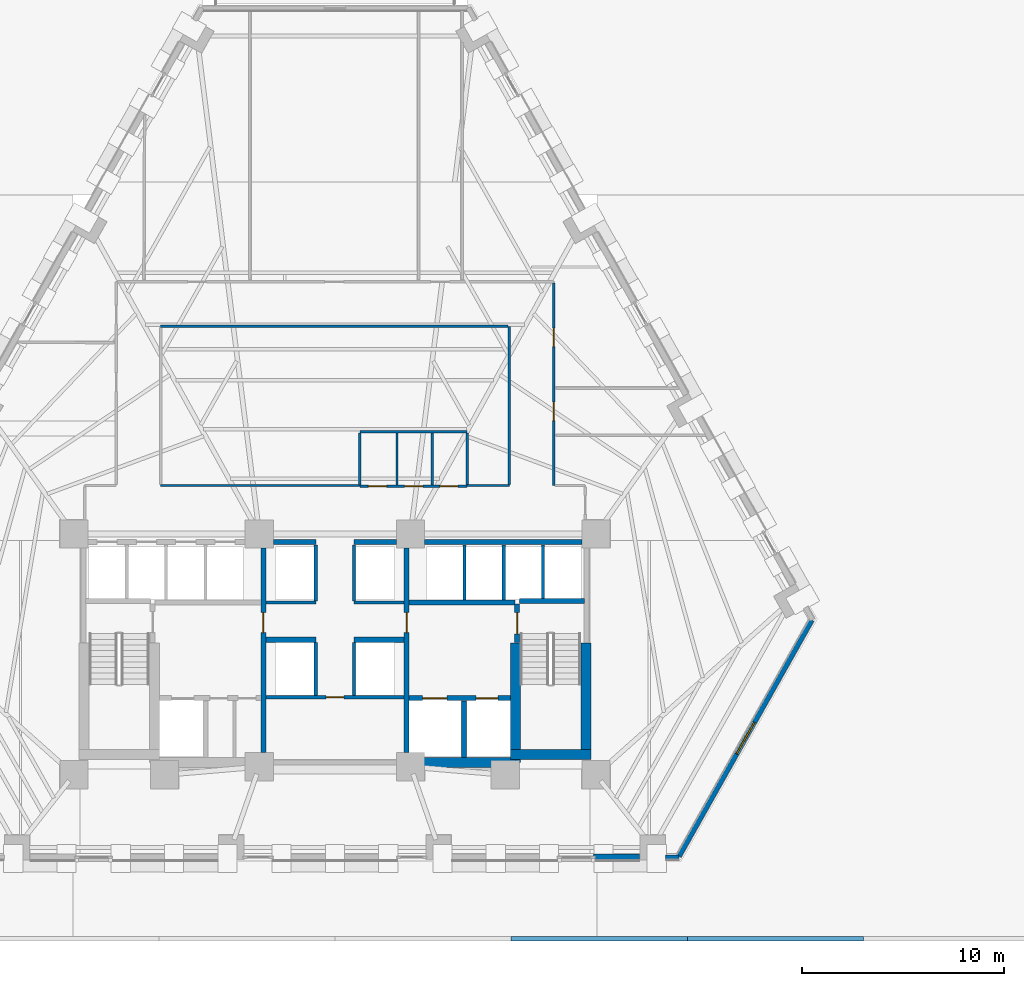
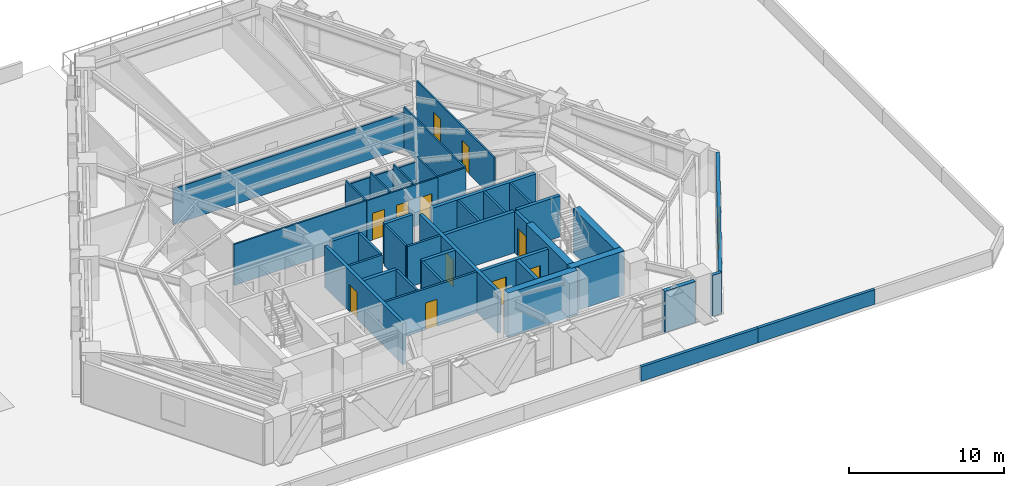
# One storey, part 9 of 14: 42 walls, 11 doors, 1 window, 12 openings.
"""IFC4 building model written with IfcOpenShell, lengths in metres."""

from ifc_helpers import new_model, si_unit, direction, frame, frame_2d, origin, place, context, subcontext, project, spatial, rectangle, extrude, material, layer, layer_set, type_object, element, fill, save


model = new_model("IFC4")

# Units and contexts
model_context = context("Model", 3, precision=1e-05, world=origin(), true_north=direction((0.0, 1.0)))
body_context = subcontext(model_context, "Body", "Model", "MODEL_VIEW")
ifc_project = project(units=[si_unit("LENGTHUNIT", "METRE"), si_unit("AREAUNIT", "SQUARE_METRE"), si_unit("VOLUMEUNIT", "CUBIC_METRE"), si_unit("PLANEANGLEUNIT", "RADIAN"), si_unit("MASSUNIT", "GRAM", prefix="KILO")], contexts=[model_context])

# Site, building, storey
site_placement = place(None, origin())
site = spatial("IfcSite", under=ifc_project, at=site_placement, CompositionType="ELEMENT")
building_placement = place(site_placement, origin())
building = spatial("IfcBuilding", under=site, at=building_placement, Name="Quenlor Broadcast Tower", CompositionType="ELEMENT")
storey_placement = place(building_placement, frame((0.0, 0.0, 27.60009765625)))
storey = spatial("IfcBuildingStorey", under=building, at=storey_placement, Name="L06", CompositionType="ELEMENT", Elevation=27.60009765625)

# Walls
ifc_material_1 = material(Name="Concrete C65/80", Category="concrete")
ifc_layer_1 = layer(ifc_material_1, 0.5)
ifc_layer_set_1 = layer_set([ifc_layer_1], Name="Core Concrete C65/80 Shear Wall 500")
wall_type_1 = type_object("IfcWallType", Name="Core Concrete C65/80 Shear Wall 500", PredefinedType="SHEAR", material=ifc_layer_set_1)
wall_1_placement = place(storey_placement, frame((3.75, -16.14990234375, 0.0), z_axis=(0.0, 0.0, 1.0), x_axis=(1.0, 0.0, 0.0)))
element("IfcWall", 1, at=wall_1_placement, inside=storey, type_object=wall_type_1, Name="L06 Core Shear Wall WS-E1", PredefinedType="SHEAR", context=body_context, shape_type="SweptSolid", body=[
    extrude(rectangle(XDim=5.199951171875, YDim=0.5, at=frame_2d((2.60009765625, 0.0))), origin(), (0.0, 0.0, 1.0), 3.5),
])
wall_2_placement = place(storey_placement, frame((8.699951171875, -15.75, 0.0), z_axis=(0.0, 0.0, 1.0), x_axis=(1.0, 0.0, 0.0)))
element("IfcWall", 2, at=wall_2_placement, inside=storey, type_object=wall_type_1, Name="L06 Core Shear Wall WS-E2", PredefinedType="SHEAR", context=body_context, shape_type="SweptSolid", body=[
    extrude(rectangle(XDim=4.0, YDim=0.5, at=frame_2d((2.0, 0.0))), origin(), (0.0, 0.0, 1.0), 3.5),
])
wall_3_placement = place(storey_placement, frame((12.449951171875, -15.75, 0.0), z_axis=(0.0, 0.0, 1.0), x_axis=(0.0, 1.0, 0.0)))
element("IfcWall", 3, at=wall_3_placement, inside=storey, type_object=wall_type_1, Name="L06 Core Shear Wall WF-E", PredefinedType="SHEAR", context=body_context, shape_type="SweptSolid", body=[
    extrude(rectangle(XDim=5.550048828125, YDim=0.5, at=frame_2d((2.77490234375, 0.0))), origin(), (0.0, 0.0, 1.0), 3.5),
])
wall_4_placement = place(storey_placement, frame((8.949951171875, -16.14990234375, 0.0), z_axis=(0.0, 0.0, 1.0), x_axis=(0.0, 1.0, 0.0)))
element("IfcWall", 4, at=wall_4_placement, inside=storey, type_object=wall_type_1, Name="L06 Core Shear Wall WI-E", PredefinedType="SHEAR", context=body_context, shape_type="SweptSolid", body=[
    extrude(rectangle(XDim=5.949951171875, YDim=0.5, at=frame_2d((2.97509765625, 0.0))), origin(), (0.0, 0.0, 1.0), 3.5),
])

# Wall, opening, door
ifc_material_2 = material(Name="Concrete C40/50", Category="concrete")
ifc_layer_2 = layer(ifc_material_2, 0.25)
ifc_layer_set_2 = layer_set([ifc_layer_2], Name="Fire Rated Concrete C40/50 Core Wall 250")
wall_type_2 = type_object("IfcWallType", Name="Fire Rated Concrete C40/50 Core Wall 250", PredefinedType="PARTITIONING", material=ifc_layer_set_2)
wall_5_placement = place(storey_placement, frame((9.0400390625, -10.179931640625, 0.0), z_axis=(0.0, 0.0, 1.0), x_axis=(0.0, 1.0, 0.0)))
wall_5 = element("IfcWall", 5, at=wall_5_placement, inside=storey, type_object=wall_type_2, Name="L06 Interior Wall CW-ST2-DR", PredefinedType="PARTITIONING", context=body_context, shape_type="SweptSolid", body=[
    extrude(rectangle(XDim=1.89990234375, YDim=0.25, at=frame_2d((0.949951171875, 0.0))), origin(), (0.0, 0.0, 1.0), 3.25),
])
opening_1_placement = place(wall_5_placement, frame((0.419921875, 0.0, 0.0)))
opening_1 = element("IfcOpeningElement", 6, at=opening_1_placement, cuts=wall_5, Name="Opening FD-1", PredefinedType="OPENING", context=body_context, shape_type="SweptSolid", body=[
    extrude(rectangle(XDim=1.050048828125, YDim=2.14990234375, at=frame_2d((0.52490234375, 1.074951171875))), frame((0.0, 0.135009765625, 0.0), z_axis=(0.0, -1.0, 0.0), x_axis=(1.0, 0.0, 0.0)), (0.0, 0.0, 1.0), 0.27001953125),
])
ifc_material_3 = material(Name="Fire Rated Steel Door Leaf", Category="steel")
door_type_1 = type_object("IfcDoorType", Name="Fire Isolated Stair Door 1050x2150", OperationType="NOTDEFINED", PredefinedType="DOOR", material=ifc_material_3)
door_1_placement = place(opening_1_placement, origin())
door_1 = element("IfcDoor", 7, at=door_1_placement, inside=storey, type_object=door_type_1, Name="L06 Door DR-ST2", OperationType="SINGLE_SWING_RIGHT", OverallHeight=2.14990234375, OverallWidth=1.050048828125, PredefinedType="DOOR", context=body_context, shape_type="SweptSolid", body=[
    extrude(rectangle(XDim=1.050048828125, YDim=2.14990234375, at=frame_2d((0.52490234375, 1.074951171875))), frame((0.0, 0.02490234375, 0.0), z_axis=(0.0, -1.0, 0.0), x_axis=(1.0, 0.0, 0.0)), (0.0, 0.0, 1.0), 0.050048828125),
])
fill(opening_1, door_1)

# Wall
wall_6_placement = place(storey_placement, frame((9.159912109375, -8.1201171875, 0.0), z_axis=(0.0, 0.0, 1.0), x_axis=(1.0, 0.0, 0.0)))
element("IfcWall", 8, at=wall_6_placement, inside=storey, type_object=wall_type_2, Name="L06 Interior Wall CW-ST2-N", PredefinedType="PARTITIONING", context=body_context, shape_type="SweptSolid", body=[
    extrude(rectangle(XDim=3.219970703125, YDim=0.25, at=frame_2d((1.60986328125, 0.0))), origin(), (0.0, 0.0, 1.0), 3.25),
])

# Wall, openings, doors
wall_7_placement = place(storey_placement, frame((3.679931640625, -12.949951171875, 0.0), z_axis=(0.0, 0.0, 1.0), x_axis=(1.0, 0.0, 0.0)))
wall_7 = element("IfcWall", 9, at=wall_7_placement, inside=storey, type_object=wall_type_2, Name="L06 Interior Wall CW-FFE-S", PredefinedType="PARTITIONING", context=body_context, shape_type="SweptSolid", body=[
    extrude(rectangle(XDim=5.01806640625, YDim=0.25, at=frame_2d((2.509033203125, 0.0))), origin(), (0.0, 0.0, 1.0), 3.25),
])
opening_2_placement = place(wall_7_placement, frame((3.320068359375, 0.0, 0.0)))
opening_2 = element("IfcOpeningElement", 10, at=opening_2_placement, cuts=wall_7, Name="Opening LD-FFL-2", PredefinedType="OPENING", context=body_context, shape_type="SweptSolid", body=[
    extrude(rectangle(XDim=1.10009765625, YDim=2.14990234375, at=frame_2d((0.550048828125, 1.074951171875))), frame((0.0, 0.135009765625, 0.0), z_axis=(0.0, -1.0, 0.0), x_axis=(1.0, 0.0, 0.0)), (0.0, 0.0, 1.0), 0.27001953125),
])
opening_3_placement = place(wall_7_placement, frame((0.669921875, 0.0, 0.0)))
opening_3 = element("IfcOpeningElement", 11, at=opening_3_placement, cuts=wall_7, Name="Opening LD-SVL-1", PredefinedType="OPENING", context=body_context, shape_type="SweptSolid", body=[
    extrude(rectangle(XDim=1.199951171875, YDim=2.14990234375, at=frame_2d((0.60009765625, 1.074951171875))), frame((0.0, 0.135009765625, 0.0), z_axis=(0.0, -1.0, 0.0), x_axis=(1.0, 0.0, 0.0)), (0.0, 0.0, 1.0), 0.27001953125),
])
ifc_material_4 = material(Name="Brushed Stainless Steel", Category="steel")
door_type_2 = type_object("IfcDoorType", Name="Emergency Lift Sliding Landing Door 1100x2150", OperationType="NOTDEFINED", PredefinedType="DOOR", material=ifc_material_4)
door_2_placement = place(opening_2_placement, origin())
door_2 = element("IfcDoor", 12, at=door_2_placement, inside=storey, type_object=door_type_2, Name="L06 Door LD-FFL-2", OperationType="SLIDING_TO_RIGHT", OverallHeight=2.14990234375, OverallWidth=1.10009765625, PredefinedType="DOOR", context=body_context, shape_type="SweptSolid", body=[
    extrude(rectangle(XDim=1.10009765625, YDim=2.14990234375, at=frame_2d((0.550048828125, 1.074951171875))), frame((0.0, 0.02490234375, 0.0), z_axis=(0.0, -1.0, 0.0), x_axis=(1.0, 0.0, 0.0)), (0.0, 0.0, 1.0), 0.050048828125),
])
fill(opening_2, door_2)
ifc_material_5 = material(Name="Brushed Stainless Steel", Category="steel")
door_type_3 = type_object("IfcDoorType", Name="Goods Lift Sliding Landing Door 1200x2150", OperationType="NOTDEFINED", PredefinedType="DOOR", material=ifc_material_5)
door_3_placement = place(opening_3_placement, origin())
door_3 = element("IfcDoor", 13, at=door_3_placement, inside=storey, type_object=door_type_3, Name="L06 Door LD-SVL-1", OperationType="SLIDING_TO_LEFT", OverallHeight=2.14990234375, OverallWidth=1.199951171875, PredefinedType="DOOR", context=body_context, shape_type="SweptSolid", body=[
    extrude(rectangle(XDim=1.199951171875, YDim=2.14990234375, at=frame_2d((0.60009765625, 1.074951171875))), frame((0.0, 0.02490234375, 0.0), z_axis=(0.0, -1.0, 0.0), x_axis=(1.0, 0.0, 0.0)), (0.0, 0.0, 1.0), 0.050048828125),
])
fill(opening_3, door_3)

# Walls
wall_8_placement = place(storey_placement, frame((6.39990234375, -15.89794921875, 0.0), z_axis=(0.0, 0.0, 1.0), x_axis=(0.0, 1.0, 0.0)))
element("IfcWall", 14, at=wall_8_placement, inside=storey, type_object=wall_type_2, Name="L06 Interior Wall CW-SV1-E", PredefinedType="PARTITIONING", context=body_context, shape_type="SweptSolid", body=[
    extrude(rectangle(XDim=2.807861328125, YDim=0.25, at=frame_2d((1.40380859375, 0.0))), origin(), (0.0, 0.0, 1.0), 3.25),
])
wall_9_placement = place(storey_placement, frame((3.679931640625, -8.199951171875, 0.0), z_axis=(0.0, 0.0, 1.0), x_axis=(1.0, 0.0, 0.0)))
element("IfcWall", 15, at=wall_9_placement, inside=storey, type_object=wall_type_2, Name="L06 Interior Wall CW-FFE-N", PredefinedType="PARTITIONING", context=body_context, shape_type="SweptSolid", body=[
    extrude(rectangle(XDim=5.239990234375, YDim=0.25, at=frame_2d((2.6201171875, 0.0))), origin(), (0.0, 0.0, 1.0), 3.25),
])

# Wall, opening, door
wall_10_placement = place(storey_placement, frame((-3.550048828125, -15.64794921875, 0.0), z_axis=(0.0, 0.0, 1.0), x_axis=(0.0, 1.0, 0.0)))
wall_10 = element("IfcWall", 16, at=wall_10_placement, inside=storey, type_object=wall_type_2, Name="L06 Interior Wall CW-FFW-E", PredefinedType="PARTITIONING", context=body_context, shape_type="SweptSolid", body=[
    extrude(rectangle(XDim=10.14599609375, YDim=0.25, at=frame_2d((5.072998046875, 0.0))), origin(), (0.0, 0.0, 1.0), 3.25),
])
opening_4_placement = place(wall_10_placement, frame((5.947998046875, 0.0, 0.0)))
opening_4 = element("IfcOpeningElement", 17, at=opening_4_placement, cuts=wall_10, Name="Opening FD-2", PredefinedType="OPENING", context=body_context, shape_type="SweptSolid", body=[
    extrude(rectangle(XDim=1.0, YDim=2.14990234375, at=frame_2d((0.5, 1.074951171875))), frame((0.0, 0.135009765625, 0.0), z_axis=(0.0, -1.0, 0.0), x_axis=(1.0, 0.0, 0.0)), (0.0, 0.0, 1.0), 0.27001953125),
])
ifc_material_6 = material(Name="Fire Rated Glazed Steel Door", Category="steel")
door_type_4 = type_object("IfcDoorType", Name="Firefighting Lobby Smoke Door 1000x2150", OperationType="NOTDEFINED", PredefinedType="DOOR", material=ifc_material_6)
door_4_placement = place(opening_4_placement, origin())
door_4 = element("IfcDoor", 18, at=door_4_placement, inside=storey, type_object=door_type_4, Name="L06 Door DR-FFLW", OperationType="SINGLE_SWING_RIGHT", OverallHeight=2.14990234375, OverallWidth=1.0, PredefinedType="DOOR", context=body_context, shape_type="SweptSolid", body=[
    extrude(rectangle(XDim=1.0, YDim=2.14990234375, at=frame_2d((0.5, 1.074951171875))), frame((0.0, 0.02490234375, 0.0), z_axis=(0.0, -1.0, 0.0), x_axis=(1.0, 0.0, 0.0)), (0.0, 0.0, 1.0), 0.050048828125),
])
fill(opening_4, door_4)

wall_11_placement = place(storey_placement, frame((3.550048828125, -15.64794921875, 0.0), z_axis=(0.0, 0.0, 1.0), x_axis=(0.0, 1.0, 0.0)))
wall_11 = element("IfcWall", 19, at=wall_11_placement, inside=storey, type_object=wall_type_2, Name="L06 Interior Wall CW-FFE-W", PredefinedType="PARTITIONING", context=body_context, shape_type="SweptSolid", body=[
    extrude(rectangle(XDim=10.14599609375, YDim=0.25, at=frame_2d((5.072998046875, 0.0))), origin(), (0.0, 0.0, 1.0), 3.25),
])
opening_5_placement = place(wall_11_placement, frame((5.947998046875, 0.0, 0.0)))
opening_5 = element("IfcOpeningElement", 20, at=opening_5_placement, cuts=wall_11, Name="Opening FD-2", PredefinedType="OPENING", context=body_context, shape_type="SweptSolid", body=[
    extrude(rectangle(XDim=1.0, YDim=2.14990234375, at=frame_2d((0.5, 1.074951171875))), frame((0.0, 0.135009765625, 0.0), z_axis=(0.0, -1.0, 0.0), x_axis=(1.0, 0.0, 0.0)), (0.0, 0.0, 1.0), 0.27001953125),
])
door_5_placement = place(opening_5_placement, origin())
door_5 = element("IfcDoor", 21, at=door_5_placement, inside=storey, type_object=door_type_4, Name="L06 Door DR-FFLE", OperationType="SINGLE_SWING_LEFT", OverallHeight=2.14990234375, OverallWidth=1.0, PredefinedType="DOOR", context=body_context, shape_type="SweptSolid", body=[
    extrude(rectangle(XDim=1.0, YDim=2.14990234375, at=frame_2d((0.5, 1.074951171875))), frame((0.0, 0.02490234375, 0.0), z_axis=(0.0, -1.0, 0.0), x_axis=(1.0, 0.0, 0.0)), (0.0, 0.0, 1.0), 0.050048828125),
])
fill(opening_5, door_5)

# Walls
wall_12_placement = place(storey_placement, frame((4.451904296875, -5.199951171875, 0.0), z_axis=(0.0, 0.0, 1.0), x_axis=(1.0, 0.0, 0.0)))
element("IfcWall", 22, at=wall_12_placement, inside=storey, type_object=wall_type_2, Name="L06 Interior Wall CW-N-E", PredefinedType="PARTITIONING", context=body_context, shape_type="SweptSolid", body=[
    extrude(rectangle(XDim=7.796142578125, YDim=0.25, at=frame_2d((3.89794921875, 0.0))), origin(), (0.0, 0.0, 1.0), 3.25),
])
for number, where, z_axis, x_axis, name in (
    (23, (-3.048095703125, -5.199951171875, 0.0), (0.0, 0.0, 1.0), (1.0, 0.0, 0.0), "L06 Interior Wall CW-N-M1"),
    (24, (0.949951171875, -5.199951171875, 0.0), (0.0, 0.0, 1.0), (1.0, 0.0, 0.0), "L06 Interior Wall CW-N-M2"),
):
    element("IfcWall", number, at=place(storey_placement, frame(where, z_axis=z_axis, x_axis=x_axis)), inside=storey, type_object=wall_type_2, Name=name, PredefinedType="PARTITIONING", context=body_context, shape_type="SweptSolid", body=[
        extrude(rectangle(XDim=2.09814453125, YDim=0.25, at=frame_2d((1.049072265625, 0.0))), origin(), (0.0, 0.0, 1.0), 3.25),
    ])
for number, where, z_axis, x_axis, name in (
    (25, (-3.419921875, -10.050048828125, 0.0), (0.0, 0.0, 1.0), (1.0, 0.0, 0.0), "L06 Interior Wall CW-MS-N1"),
    (26, (0.949951171875, -10.050048828125, 0.0), (0.0, 0.0, 1.0), (1.0, 0.0, 0.0), "L06 Interior Wall CW-MS-N2"),
):
    element("IfcWall", number, at=place(storey_placement, frame(where, z_axis=z_axis, x_axis=x_axis)), inside=storey, type_object=wall_type_2, Name=name, PredefinedType="PARTITIONING", context=body_context, shape_type="SweptSolid", body=[
        extrude(rectangle(XDim=2.469970703125, YDim=0.25, at=frame_2d((1.23486328125, 0.0))), origin(), (0.0, 0.0, 1.0), 3.25),
    ])
ifc_material_7 = material(Name="Gypsum Fireboard Partition", Category="other")
ifc_layer_3 = layer(ifc_material_7, 0.159912109375)
ifc_layer_set_3 = layer_set([ifc_layer_3], Name="Fire Rated Shaft and Corridor Partition 160")
wall_type_3 = type_object("IfcWallType", Name="Fire Rated Shaft and Corridor Partition 160", PredefinedType="PARTITIONING", material=ifc_layer_set_3)
for number, where, z_axis, x_axis, name in (
    (27, (6.425048828125, -8.072998046875, 0.0), (0.0, 0.0, 1.0), (0.0, 1.0, 0.0), "L06 Interior Wall CW-PLH-D1"),
    (28, (8.375, -8.072998046875, 0.0), (0.0, 0.0, 1.0), (0.0, 1.0, 0.0), "L06 Interior Wall CW-PLH-D2"),
):
    element("IfcWall", number, at=place(storey_placement, frame(where, z_axis=z_axis, x_axis=x_axis)), inside=storey, type_object=wall_type_3, Name=name, PredefinedType="PARTITIONING", context=body_context, shape_type="SweptSolid", body=[
        extrude(rectangle(XDim=2.73291015625, YDim=0.159912109375, at=frame_2d((1.366455078125, 0.0))), origin(), (0.0, 0.0, 1.0), 3.25),
    ])
wall_13_placement = place(storey_placement, frame((10.324951171875, -7.992919921875, 0.0), z_axis=(0.0, 0.0, 1.0), x_axis=(0.0, 1.0, 0.0)))
element("IfcWall", 29, at=wall_13_placement, inside=storey, type_object=wall_type_3, Name="L06 Interior Wall CW-PLH-D3", PredefinedType="PARTITIONING", context=body_context, shape_type="SweptSolid", body=[
    extrude(rectangle(XDim=2.65283203125, YDim=0.159912109375, at=frame_2d((1.326416015625, 0.0))), origin(), (0.0, 0.0, 1.0), 3.25),
])
for number, where, z_axis, x_axis, name in (
    (30, (-0.949951171875, -8.1201171875, 0.0), (0.0, 0.0, 1.0), (0.0, 1.0, 0.0), "L06 Interior Wall CW-CCRP-W"),
    (31, (0.949951171875, -8.1201171875, 0.0), (0.0, 0.0, 1.0), (0.0, 1.0, 0.0), "L06 Interior Wall CW-CCRP-E"),
):
    element("IfcWall", number, at=place(storey_placement, frame(where, z_axis=z_axis, x_axis=x_axis)), inside=storey, type_object=wall_type_3, Name=name, PredefinedType="PARTITIONING", context=body_context, shape_type="SweptSolid", body=[
        extrude(rectangle(XDim=2.780029296875, YDim=0.159912109375, at=frame_2d((1.39013671875, 0.0))), origin(), (0.0, 0.0, 1.0), 3.25),
    ])
for number, where, z_axis, x_axis, name in (
    (32, (-3.419921875, -8.199951171875, 0.0), (0.0, 0.0, 1.0), (1.0, 0.0, 0.0), "L06 Interior Wall CW-M-BACK1"),
    (33, (0.949951171875, -8.199951171875, 0.0), (0.0, 0.0, 1.0), (1.0, 0.0, 0.0), "L06 Interior Wall CW-M-BACK2"),
):
    element("IfcWall", number, at=place(storey_placement, frame(where, z_axis=z_axis, x_axis=x_axis)), inside=storey, type_object=wall_type_3, Name=name, PredefinedType="PARTITIONING", context=body_context, shape_type="SweptSolid", body=[
        extrude(rectangle(XDim=2.469970703125, YDim=0.159912109375, at=frame_2d((1.23486328125, 0.0))), origin(), (0.0, 0.0, 1.0), 3.25),
    ])

# Wall, opening, door
wall_14_placement = place(storey_placement, frame((-3.419921875, -12.89990234375, 0.0), z_axis=(0.0, 0.0, 1.0), x_axis=(1.0, 0.0, 0.0)))
wall_14 = element("IfcWall", 34, at=wall_14_placement, inside=storey, type_object=wall_type_3, Name="L06 Interior Wall CW-MS-B", PredefinedType="PARTITIONING", context=body_context, shape_type="SweptSolid", body=[
    extrude(rectangle(XDim=6.83984375, YDim=0.159912109375, at=frame_2d((3.419921875, 0.0))), origin(), (0.0, 0.0, 1.0), 3.25),
])
opening_6_placement = place(wall_14_placement, frame((2.97998046875, 0.0, 0.0)))
opening_6 = element("IfcOpeningElement", 35, at=opening_6_placement, cuts=wall_14, Name="Opening ID-4", PredefinedType="OPENING", context=body_context, shape_type="SweptSolid", body=[
    extrude(rectangle(XDim=0.8798828125, YDim=2.1201171875, at=frame_2d((0.43994140625, 1.06005859375))), frame((0.0, 0.08984375, 0.0), z_axis=(0.0, -1.0, 0.0), x_axis=(1.0, 0.0, 0.0)), (0.0, 0.0, 1.0), 0.179931640625),
])
ifc_material_8 = material(Name="Solid Core Timber Oak", Category="wood")
door_type_5 = type_object("IfcDoorType", Name="Service Closet Timber Door 880x2120", OperationType="NOTDEFINED", PredefinedType="DOOR", material=ifc_material_8)
door_6_placement = place(opening_6_placement, origin())
door_6 = element("IfcDoor", 36, at=door_6_placement, inside=storey, type_object=door_type_5, Name="L06 Door DR-CSV0", OperationType="SINGLE_SWING_LEFT", OverallHeight=2.1201171875, OverallWidth=0.8798828125, PredefinedType="DOOR", context=body_context, shape_type="SweptSolid", body=[
    extrude(rectangle(XDim=0.8798828125, YDim=2.1201171875, at=frame_2d((0.43994140625, 1.06005859375))), frame((0.0, 0.02490234375, 0.0), z_axis=(0.0, -1.0, 0.0), x_axis=(1.0, 0.0, 0.0)), (0.0, 0.0, 1.0), 0.050048828125),
])
fill(opening_6, door_6)

# Walls
for number, where, z_axis, x_axis, name in (
    (37, (-0.949951171875, -12.818115234375, 0.0), (0.0, 0.0, 1.0), (0.0, 1.0, 0.0), "L06 Interior Wall CW-MS-W"),
    (38, (0.949951171875, -12.818115234375, 0.0), (0.0, 0.0, 1.0), (0.0, 1.0, 0.0), "L06 Interior Wall CW-MS-E"),
):
    element("IfcWall", number, at=place(storey_placement, frame(where, z_axis=z_axis, x_axis=x_axis)), inside=storey, type_object=wall_type_3, Name=name, PredefinedType="PARTITIONING", context=body_context, shape_type="SweptSolid", body=[
        extrude(rectangle(XDim=2.63818359375, YDim=0.159912109375, at=frame_2d((1.319091796875, 0.0))), origin(), (0.0, 0.0, 1.0), 3.25),
    ])
ifc_material_9 = material(Name="Precast concrete C40/50", Category="concrete")
ifc_layer_4 = layer(ifc_material_9, 0.219970703125)
ifc_layer_set_4 = layer_set([ifc_layer_4], Name="Podium Roof Precast Concrete C40/50 Parapet Wall 220")
wall_type_4 = type_object("IfcWallType", Name="Podium Roof Precast Concrete C40/50 Parapet Wall 220", PredefinedType="PARAPET", material=ifc_layer_set_4)
wall_15_placement = place(storey_placement, frame((26.2158203125, -24.889892578125, 0.0), z_axis=(0.0, 0.0, 1.0), x_axis=(-1.0, 0.0, 0.0)))
element("IfcWall", 39, at=wall_15_placement, inside=storey, type_object=wall_type_4, Name="L06 Roof Parapet 24", PredefinedType="PARAPET", context=body_context, shape_type="SweptSolid", body=[
    extrude(rectangle(XDim=8.738525390625, YDim=0.219970703125, at=frame_2d((4.369140625, 0.0))), origin(), (0.0, 0.0, 1.0), 1.14990234375),
])
wall_16_placement = place(storey_placement, frame((17.477294921875, -24.889892578125, 0.0), z_axis=(0.0, 0.0, 1.0), x_axis=(-1.0, 0.0, 0.0)))
element("IfcWall", 40, at=wall_16_placement, inside=storey, type_object=wall_type_4, Name="L06 Roof Parapet 25", PredefinedType="PARAPET", context=body_context, shape_type="SweptSolid", body=[
    extrude(rectangle(XDim=8.73876953125, YDim=0.219970703125, at=frame_2d((4.369384765625, 0.0))), origin(), (0.0, 0.0, 1.0), 1.14990234375),
])

# Wall, openings, doors
ifc_material_10 = material(Name="Gypsum Plasterboard Partition", Category="other")
ifc_layer_5 = layer(ifc_material_10, 0.1201171875)
ifc_layer_set_5 = layer_set([ifc_layer_5], Name="Standard Office Partition 120")
wall_type_5 = type_object("IfcWallType", Name="Standard Office Partition 120", PredefinedType="PARTITIONING", material=ifc_layer_set_5)
wall_17_placement = place(storey_placement, frame((1.239990234375, -2.43994140625, 0.0), z_axis=(0.0, 0.0, 1.0), x_axis=(1.0, 0.0, 0.0)))
wall_17 = element("IfcWall", 41, at=wall_17_placement, inside=storey, type_object=wall_type_5, Name="L06 Interior Wall PW-WC-S", PredefinedType="PARTITIONING", context=body_context, shape_type="SweptSolid", body=[
    extrude(rectangle(XDim=5.320068359375, YDim=0.1201171875, at=frame_2d((2.66015625, 0.0))), origin(), (0.0, 0.0, 1.0), 3.25),
])
opening_7_placement = place(wall_17_placement, frame((0.419921875, 0.0, 0.0)))
opening_7 = element("IfcOpeningElement", 42, at=opening_7_placement, cuts=wall_17, Name="Opening ID-3", PredefinedType="OPENING", context=body_context, shape_type="SweptSolid", body=[
    extrude(rectangle(XDim=0.89990234375, YDim=2.1201171875, at=frame_2d((0.449951171875, 1.06005859375))), frame((0.0, 0.070068359375, 0.0), z_axis=(0.0, -1.0, 0.0), x_axis=(1.0, 0.0, 0.0)), (0.0, 0.0, 1.0), 0.14013671875),
])
opening_8_placement = place(wall_17_placement, frame((2.219970703125, 0.0, 0.0)))
opening_8 = element("IfcOpeningElement", 43, at=opening_8_placement, cuts=wall_17, Name="Opening ID-3", PredefinedType="OPENING", context=body_context, shape_type="SweptSolid", body=[
    extrude(rectangle(XDim=0.89990234375, YDim=2.1201171875, at=frame_2d((0.449951171875, 1.06005859375))), frame((0.0, 0.070068359375, 0.0), z_axis=(0.0, -1.0, 0.0), x_axis=(1.0, 0.0, 0.0)), (0.0, 0.0, 1.0), 0.14013671875),
])
opening_9_placement = place(wall_17_placement, frame((3.9599609375, 0.0, 0.0)))
opening_9 = element("IfcOpeningElement", 44, at=opening_9_placement, cuts=wall_17, Name="Opening ID-3", PredefinedType="OPENING", context=body_context, shape_type="SweptSolid", body=[
    extrude(rectangle(XDim=0.89990234375, YDim=2.1201171875, at=frame_2d((0.449951171875, 1.06005859375))), frame((0.0, 0.070068359375, 0.0), z_axis=(0.0, -1.0, 0.0), x_axis=(1.0, 0.0, 0.0)), (0.0, 0.0, 1.0), 0.14013671875),
])
ifc_material_11 = material(Name="Moisture Resistant Timber Oak", Category="wood")
door_type_6 = type_object("IfcDoorType", Name="Washroom Privacy Door 900x2120", OperationType="NOTDEFINED", PredefinedType="DOOR", material=ifc_material_11)
door_7_placement = place(opening_7_placement, origin())
door_7 = element("IfcDoor", 45, at=door_7_placement, inside=storey, type_object=door_type_6, Name="L06 Door DR-AWC", OperationType="SINGLE_SWING_LEFT", OverallHeight=2.1201171875, OverallWidth=0.89990234375, PredefinedType="DOOR", context=body_context, shape_type="SweptSolid", body=[
    extrude(rectangle(XDim=0.89990234375, YDim=2.1201171875, at=frame_2d((0.449951171875, 1.06005859375))), frame((0.0, 0.02490234375, 0.0), z_axis=(0.0, -1.0, 0.0), x_axis=(1.0, 0.0, 0.0)), (0.0, 0.0, 1.0), 0.050048828125),
])
fill(opening_7, door_7)
door_8_placement = place(opening_8_placement, origin())
door_8 = element("IfcDoor", 46, at=door_8_placement, inside=storey, type_object=door_type_6, Name="L06 Door DR-MWC", OperationType="SINGLE_SWING_LEFT", OverallHeight=2.1201171875, OverallWidth=0.89990234375, PredefinedType="DOOR", context=body_context, shape_type="SweptSolid", body=[
    extrude(rectangle(XDim=0.89990234375, YDim=2.1201171875, at=frame_2d((0.449951171875, 1.06005859375))), frame((0.0, 0.02490234375, 0.0), z_axis=(0.0, -1.0, 0.0), x_axis=(1.0, 0.0, 0.0)), (0.0, 0.0, 1.0), 0.050048828125),
])
fill(opening_8, door_8)
door_9_placement = place(opening_9_placement, origin())
door_9 = element("IfcDoor", 47, at=door_9_placement, inside=storey, type_object=door_type_6, Name="L06 Door DR-FWC", OperationType="SINGLE_SWING_RIGHT", OverallHeight=2.1201171875, OverallWidth=0.89990234375, PredefinedType="DOOR", context=body_context, shape_type="SweptSolid", body=[
    extrude(rectangle(XDim=0.89990234375, YDim=2.1201171875, at=frame_2d((0.449951171875, 1.06005859375))), frame((0.0, 0.02490234375, 0.0), z_axis=(0.0, -1.0, 0.0), x_axis=(1.0, 0.0, 0.0)), (0.0, 0.0, 1.0), 0.050048828125),
])
fill(opening_9, door_9)

# Walls
wall_18_placement = place(storey_placement, frame((1.239990234375, 0.260009765625, 0.0), z_axis=(0.0, 0.0, 1.0), x_axis=(1.0, 0.0, 0.0)))
element("IfcWall", 48, at=wall_18_placement, inside=storey, type_object=wall_type_5, Name="L06 Interior Wall PW-WC-N", PredefinedType="PARTITIONING", context=body_context, shape_type="SweptSolid", body=[
    extrude(rectangle(XDim=5.320068359375, YDim=0.1201171875, at=frame_2d((2.66015625, 0.0))), origin(), (0.0, 0.0, 1.0), 2.843505859375),
])
for number, where, z_axis, x_axis, name in (
    (49, (1.239990234375, -2.3779296875, 0.0), (0.0, 0.0, 1.0), (0.0, 1.0, 0.0), "L06 Interior Wall PW-WC-W"),
    (50, (3.080078125, -2.3779296875, 0.0), (0.0, 0.0, 1.0), (0.0, 1.0, 0.0), "L06 Interior Wall PW-WC-M1"),
    (51, (4.820068359375, -2.3779296875, 0.0), (0.0, 0.0, 1.0), (0.0, 1.0, 0.0), "L06 Interior Wall PW-WC-M2"),
    (52, (6.56005859375, -2.3779296875, 0.0), (0.0, 0.0, 1.0), (0.0, 1.0, 0.0), "L06 Interior Wall PW-WC-E"),
):
    element("IfcWall", number, at=place(storey_placement, frame(where, z_axis=z_axis, x_axis=x_axis)), inside=storey, type_object=wall_type_5, Name=name, PredefinedType="PARTITIONING", context=body_context, shape_type="SweptSolid", body=[
        extrude(rectangle(XDim=2.575927734375, YDim=0.1201171875, at=frame_2d((1.2880859375, 0.0))), origin(), (0.0, 0.0, 1.0), 3.25),
    ])

# Wall, openings, doors
wall_19_placement = place(storey_placement, frame((10.85009765625, 7.637939453125, 0.0), z_axis=(0.0, 0.0, 1.0), x_axis=(0.0, -1.0, 0.0)))
wall_19 = element("IfcWall", 53, at=wall_19_placement, inside=storey, type_object=wall_type_5, Name="L06 Interior Wall PW-CR-04", PredefinedType="PARTITIONING", context=body_context, shape_type="SweptSolid", body=[
    extrude(rectangle(XDim=10.037841796875, YDim=0.1201171875, at=frame_2d((5.01904296875, 0.0))), origin(), (0.0, 0.0, 1.0), 3.25),
])
opening_10_placement = place(wall_19_placement, frame((2.22705078125, 0.0, 0.0)))
opening_10 = element("IfcOpeningElement", 54, at=opening_10_placement, cuts=wall_19, Name="Opening ID-1", PredefinedType="OPENING", context=body_context, shape_type="SweptSolid", body=[
    extrude(rectangle(XDim=0.919921875, YDim=2.1201171875, at=frame_2d((0.4599609375, 1.06005859375))), frame((0.0, 0.070068359375, 0.0), z_axis=(0.0, -1.0, 0.0), x_axis=(1.0, 0.0, 0.0)), (0.0, 0.0, 1.0), 0.14013671875),
])
opening_11_placement = place(wall_19_placement, frame((5.89794921875, 0.0, 0.0)))
opening_11 = element("IfcOpeningElement", 55, at=opening_11_placement, cuts=wall_19, Name="Opening ID-1", PredefinedType="OPENING", context=body_context, shape_type="SweptSolid", body=[
    extrude(rectangle(XDim=0.919921875, YDim=2.1201171875, at=frame_2d((0.4599609375, 1.06005859375))), frame((0.0, 0.070068359375, 0.0), z_axis=(0.0, -1.0, 0.0), x_axis=(1.0, 0.0, 0.0)), (0.0, 0.0, 1.0), 0.14013671875),
])
ifc_material_12 = material(Name="Solid Core Timber Oak", Category="wood")
door_type_7 = type_object("IfcDoorType", Name="Single Leaf Timber Office Door 920x2120", OperationType="NOTDEFINED", PredefinedType="DOOR", material=ifc_material_12)
door_10_placement = place(opening_10_placement, origin())
door_10 = element("IfcDoor", 56, at=door_10_placement, inside=storey, type_object=door_type_7, Name="L06 Door DR-RM04", OperationType="SINGLE_SWING_LEFT", OverallHeight=2.1201171875, OverallWidth=0.919921875, PredefinedType="DOOR", context=body_context, shape_type="SweptSolid", body=[
    extrude(rectangle(XDim=0.919921875, YDim=2.1201171875, at=frame_2d((0.4599609375, 1.06005859375))), frame((0.0, 0.02490234375, 0.0), z_axis=(0.0, -1.0, 0.0), x_axis=(1.0, 0.0, 0.0)), (0.0, 0.0, 1.0), 0.050048828125),
])
fill(opening_10, door_10)
door_11_placement = place(opening_11_placement, origin())
door_11 = element("IfcDoor", 57, at=door_11_placement, inside=storey, type_object=door_type_7, Name="L06 Door DR-RM07", OperationType="SINGLE_SWING_RIGHT", OverallHeight=2.1201171875, OverallWidth=0.919921875, PredefinedType="DOOR", context=body_context, shape_type="SweptSolid", body=[
    extrude(rectangle(XDim=0.919921875, YDim=2.1201171875, at=frame_2d((0.4599609375, 1.06005859375))), frame((0.0, 0.02490234375, 0.0), z_axis=(0.0, -1.0, 0.0), x_axis=(1.0, 0.0, 0.0)), (0.0, 0.0, 1.0), 0.050048828125),
])
fill(opening_11, door_11)

# Walls
wall_20_placement = place(storey_placement, frame((-8.64990234375, -2.39990234375, 0.0), z_axis=(0.0, 0.0, 1.0), x_axis=(1.0, 0.0, 0.0)))
element("IfcWall", 58, at=wall_20_placement, inside=storey, type_object=wall_type_5, Name="L06 Interior Wall PW-CR-08", PredefinedType="PARTITIONING", context=body_context, shape_type="SweptSolid", body=[
    extrude(rectangle(XDim=9.887939453125, YDim=0.1201171875, at=frame_2d((4.94384765625, 0.0))), origin(), (0.0, 0.0, 1.0), 3.25),
])
wall_21_placement = place(storey_placement, frame((6.56201171875, -2.39990234375, 0.0), z_axis=(0.0, 0.0, 1.0), x_axis=(1.0, 0.0, 0.0)))
element("IfcWall", 59, at=wall_21_placement, inside=storey, type_object=wall_type_5, Name="L06 Interior Wall PW-CR-08S2", PredefinedType="PARTITIONING", context=body_context, shape_type="SweptSolid", body=[
    extrude(rectangle(XDim=2.087890625, YDim=0.1201171875, at=frame_2d((1.0439453125, 0.0))), origin(), (0.0, 0.0, 1.0), 3.25),
])
wall_22_placement = place(storey_placement, frame((8.64990234375, -2.337890625, 0.0), z_axis=(0.0, 0.0, 1.0), x_axis=(0.0, 1.0, 0.0)))
element("IfcWall", 60, at=wall_22_placement, inside=storey, type_object=wall_type_5, Name="L06 Interior Wall PW-CR-09", PredefinedType="PARTITIONING", context=body_context, shape_type="SweptSolid", body=[
    extrude(rectangle(XDim=7.837890625, YDim=0.1201171875, at=frame_2d((3.9189453125, 0.0))), origin(), (0.0, 0.0, 1.0), 3.25),
])
wall_23_placement = place(storey_placement, frame((8.587890625, 5.5, 0.0), z_axis=(0.0, 0.0, 1.0), x_axis=(-1.0, 0.0, 0.0)))
element("IfcWall", 61, at=wall_23_placement, inside=storey, type_object=wall_type_5, Name="L06 Interior Wall PW-CR-10", PredefinedType="PARTITIONING", context=body_context, shape_type="SweptSolid", body=[
    extrude(rectangle(XDim=17.23779296875, YDim=0.1201171875, at=frame_2d((8.618896484375, 0.0))), origin(), (0.0, 0.0, 1.0), 2.843505859375),
])
ifc_material_13 = material(Name="Precast concrete C40/50", Category="concrete")
ifc_layer_6 = layer(ifc_material_13, 0.239990234375)
ifc_layer_set_6 = layer_set([ifc_layer_6], Name="Terrace Threshold Precast Concrete C40/50 Wall 240")
wall_type_6 = type_object("IfcWallType", Name="Terrace Threshold Precast Concrete C40/50 Wall 240", PredefinedType="STANDARD", material=ifc_layer_set_6)
wall_24_placement = place(storey_placement, frame((17.075927734375, -20.840087890625, 0.0), z_axis=(0.0, 0.0, 1.0), x_axis=(-1.0, 0.0, 0.0)))
element("IfcWall", 62, at=wall_24_placement, inside=storey, type_object=wall_type_6, Name="L06 Exterior Wall L06-SHD-SS0", PredefinedType="STANDARD", context=body_context, shape_type="SweptSolid", body=[
    extrude(rectangle(XDim=0.680908203125, YDim=0.239990234375, at=frame_2d((0.34033203125, 0.0))), origin(), (0.0, 0.0, 1.0), 3.25),
])

# Wall, opening, window
wall_25_placement = place(storey_placement, frame((17.06689453125, -20.79638671875, 0.0), z_axis=(0.0, 0.0, 1.0), x_axis=(0.490268135177, 0.871571658345, 0.0)))
wall_25 = element("IfcWall", 63, at=wall_25_placement, inside=storey, type_object=wall_type_6, Name="L06 Exterior Wall L06-CNR-06", PredefinedType="STANDARD", context=body_context, shape_type="SweptSolid", body=[
    extrude(rectangle(XDim=13.44775390625, YDim=0.239990234375, at=frame_2d((6.723876953125, 0.0))), origin(), (0.0, 0.0, 1.0), 3.25),
])
opening_12_placement = place(wall_25_placement, frame((5.823974609375, 0.0, 0.89990234375)))
opening_12 = element("IfcOpeningElement", 64, at=opening_12_placement, cuts=wall_25, Name="Opening WN-1", PredefinedType="OPENING", context=body_context, shape_type="SweptSolid", body=[
    extrude(rectangle(XDim=1.800048828125, YDim=2.10009765625, at=frame_2d((0.89990234375, 1.050048828125))), frame((0.0, 0.1298828125, 0.0), z_axis=(0.0, -1.0, 0.0), x_axis=(1.0, 0.0, 0.0)), (0.0, 0.0, 1.0), 0.260009765625),
])
ifc_material_14 = material(Name="Thermally Broken Aluminium and Low-E Glass", Category="aluminium")
window_type = type_object("IfcWindowType", Name="Tower Acoustic Vision Window 1800x2100", PartitioningType="SINGLE_PANEL", PredefinedType="WINDOW", material=ifc_material_14)
window_placement = place(opening_12_placement, origin())
window = element("IfcWindow", 65, at=window_placement, inside=storey, type_object=window_type, Name="L06 Corner Chamfer Window 6", OverallHeight=2.10009765625, OverallWidth=1.800048828125, PartitioningType="SINGLE_PANEL", PredefinedType="WINDOW", context=body_context, shape_type="SweptSolid", body=[
    extrude(rectangle(XDim=1.800048828125, YDim=2.10009765625, at=frame_2d((0.89990234375, 1.050048828125))), frame((0.0, 0.030029296875, 0.0), z_axis=(0.0, -1.0, 0.0), x_axis=(1.0, 0.0, 0.0)), (0.0, 0.0, 1.0), 0.06005859375),
])
fill(opening_12, window)

# Wall
ifc_material_15 = material(Name="Precast concrete C40/50", Category="concrete")
ifc_layer_7 = layer(ifc_material_15, 0.300048828125)
ifc_layer_set_7 = layer_set([ifc_layer_7], Name="Terracotta Precast Concrete C40/50 Spandrel Wall 300")
wall_type_7 = type_object("IfcWallType", Name="Terracotta Precast Concrete C40/50 Spandrel Wall 300", PredefinedType="STANDARD", material=ifc_layer_set_7)
wall_26_placement = place(storey_placement, frame((15.114990234375, -20.840087890625, 0.0), z_axis=(0.0, 0.0, 1.0), x_axis=(-1.0, 0.0, 0.0)))
element("IfcWall", 66, at=wall_26_placement, inside=storey, type_object=wall_type_7, Name="L06 Exterior Wall L06-SA-SP1", PredefinedType="STANDARD", context=body_context, shape_type="SweptSolid", body=[
    extrude(rectangle(XDim=2.280029296875, YDim=0.300048828125, at=frame_2d((1.14013671875, 0.0))), origin(), (0.0, 0.0, 1.0), 3.25),
])

save(model, "model.ifc")
